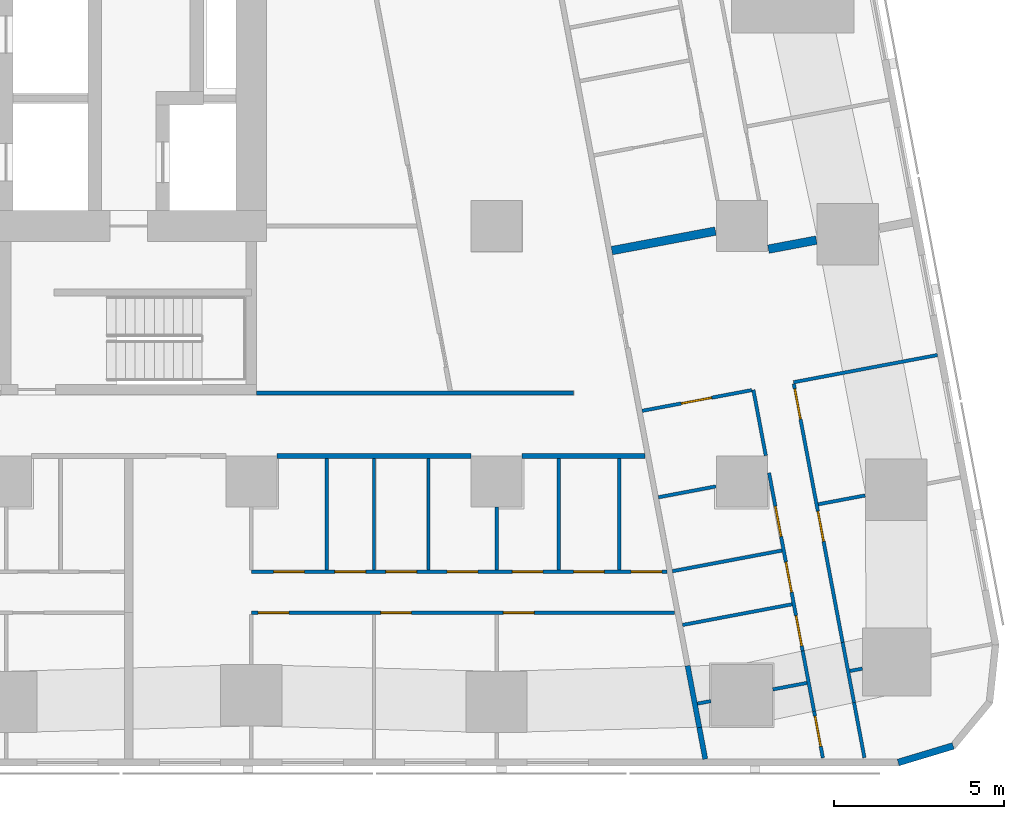
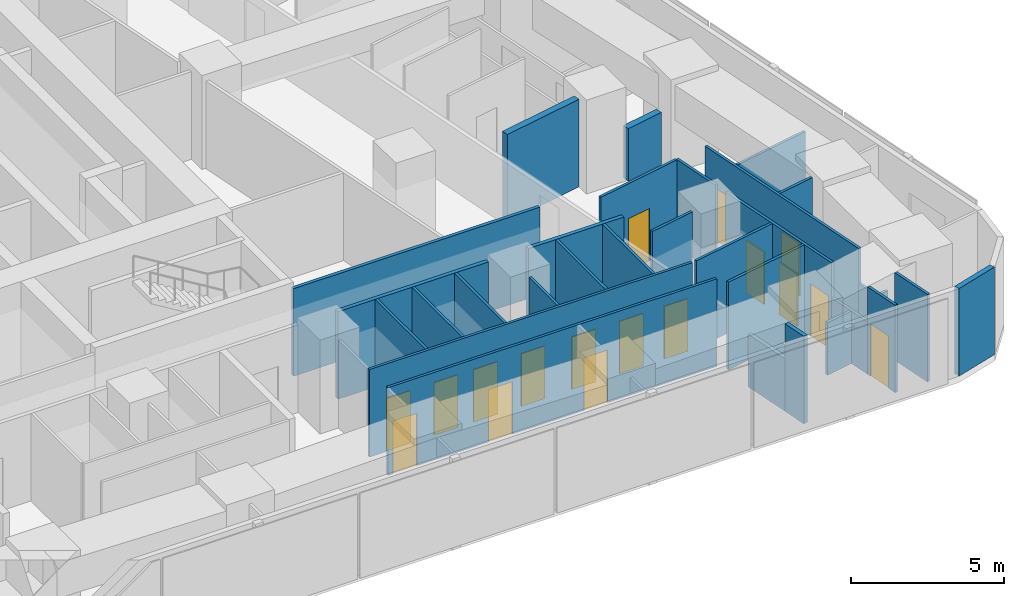
# One storey, part 6 of 15: 32 walls, 17 doors, 17 openings.
"""IFC4 building model written with IfcOpenShell, lengths in metres."""

from ifc_helpers import new_model, si_unit, direction, frame, frame_2d, origin, place, context, subcontext, project, spatial, rectangle, extrude, material, layer, layer_set, type_object, element, fill, save


model = new_model("IFC4")

# Units and contexts
model_context = context("Model", 3, precision=1e-05, world=origin(), true_north=direction((0.0, 1.0)))
body_context = subcontext(model_context, "Body", "Model", "MODEL_VIEW")
ifc_project = project(units=[si_unit("LENGTHUNIT", "METRE"), si_unit("AREAUNIT", "SQUARE_METRE"), si_unit("VOLUMEUNIT", "CUBIC_METRE"), si_unit("PLANEANGLEUNIT", "RADIAN"), si_unit("MASSUNIT", "GRAM", prefix="KILO")], contexts=[model_context])

# Site, building, storey
site_placement = place(None, origin())
site = spatial("IfcSite", under=ifc_project, at=site_placement, CompositionType="ELEMENT")
building_placement = place(site_placement, origin())
building = spatial("IfcBuilding", under=site, at=building_placement, Name="Sheger Commons Tower", CompositionType="ELEMENT")
storey_placement = place(building_placement, frame((0.0, 0.0, 147.050048828125)))
storey = spatial("IfcBuildingStorey", under=building, at=storey_placement, Name="L37", CompositionType="ELEMENT", Elevation=147.050048828125)

# Walls
ifc_material_1 = material(Name="Hollow concrete block masonry, skimmed both sides", Category="masonry")
ifc_layer_1 = layer(ifc_material_1, 0.14990234375)
ifc_layer_set_1 = layer_set([ifc_layer_1], Name="CORRIDOR WALL 150")
wall_type_1 = type_object("IfcWallType", Name="CORRIDOR WALL 150", PredefinedType="SOLIDWALL", material=ifc_layer_set_1)
wall_1_placement = place(storey_placement, frame((40.35595703125, 8.25, 0.0), z_axis=(0.0, 0.0, 1.0), x_axis=(-1.0, 0.0, 0.0)))
element("IfcWall", 1, at=wall_1_placement, inside=storey, type_object=wall_type_1, Name="Corridor wall L37", PredefinedType="SOLIDWALL", context=body_context, shape_type="SweptSolid", body=[
    extrude(rectangle(XDim=3.60498046875, YDim=0.14990234375, at=frame_2d((1.802490234375, 0.0))), origin(), (0.0, 0.0, 1.0), 3.5),
])
wall_2_placement = place(storey_placement, frame((35.2490234375, 8.25, 0.0), z_axis=(0.0, 0.0, 1.0), x_axis=(-1.0, 0.0, 0.0)))
element("IfcWall", 2, at=wall_2_placement, inside=storey, type_object=wall_type_1, Name="Corridor wall L37", PredefinedType="SOLIDWALL", context=body_context, shape_type="SweptSolid", body=[
    extrude(rectangle(XDim=5.697998046875, YDim=0.14990234375, at=frame_2d((2.84912109375, 0.0))), origin(), (0.0, 0.0, 1.0), 3.5),
])
wall_3_placement = place(storey_placement, frame((41.60888671875, 2.093017578125, 0.0), z_axis=(0.0, 0.0, 1.0), x_axis=(0.185708872674, -0.982604811005, 0.0)))
element("IfcWall", 3, at=wall_3_placement, inside=storey, type_object=wall_type_1, Name="Corridor wall L37", PredefinedType="SOLIDWALL", context=body_context, shape_type="SweptSolid", body=[
    extrude(rectangle(XDim=1.84716796875, YDim=0.14990234375, at=frame_2d((0.923583984375, 0.0))), origin(), (0.0, 0.0, 1.0), 2.099853515625),
])
wall_4_placement = place(storey_placement, frame((41.951904296875, 0.278076171875, 0.0), z_axis=(0.0, 0.0, 1.0), x_axis=(0.185365466984, -0.982669651332, 0.0)))
element("IfcWall", 4, at=wall_4_placement, inside=storey, type_object=wall_type_1, Name="Corridor wall L37", PredefinedType="SOLIDWALL", context=body_context, shape_type="SweptSolid", body=[
    extrude(rectangle(XDim=0.9443359375, YDim=0.14990234375, at=frame_2d((0.47216796875, 0.0))), origin(), (0.0, 0.0, 1.0), 3.5),
])
ifc_material_2 = material(Name="Dense concrete block masonry, plastered both sides (separating wall between flats)", Category="masonry")
ifc_layer_2 = layer(ifc_material_2, 0.25)
ifc_layer_set_2 = layer_set([ifc_layer_2], Name="DEMISING WALL 250")
wall_type_2 = type_object("IfcWallType", Name="DEMISING WALL 250", PredefinedType="SOLIDWALL", material=ifc_layer_set_2)
wall_5_placement = place(storey_placement, frame((45.389892578125, 14.587890625, 0.0), z_axis=(0.0, 0.0, 1.0), x_axis=(-0.982680951688, -0.18530555089, 0.0)))
element("IfcWall", 5, at=wall_5_placement, inside=storey, type_object=wall_type_2, Name="Demising wall L37", PredefinedType="SOLIDWALL", context=body_context, shape_type="SweptSolid", body=[
    extrude(rectangle(XDim=1.434814453125, YDim=0.25, at=frame_2d((0.71728515625, 0.0))), origin(), (0.0, 0.0, 1.0), 2.099853515625),
])
wall_6_placement = place(storey_placement, frame((42.426025390625, 14.85302734375, 0.0), z_axis=(0.0, 0.0, 1.0), x_axis=(-0.982660840416, -0.185412169809, 0.0)))
element("IfcWall", 6, at=wall_6_placement, inside=storey, type_object=wall_type_2, Name="Demising wall L37", PredefinedType="SOLIDWALL", context=body_context, shape_type="SweptSolid", body=[
    extrude(rectangle(XDim=3.095703125, YDim=0.25, at=frame_2d((1.5478515625, 0.0))), origin(), (0.0, 0.0, 1.0), 3.5),
])
ifc_material_3 = material(Name="Rendered concrete block masonry, dark grey", Category="masonry")
ifc_layer_3 = layer(ifc_material_3, 0.199951171875)
ifc_layer_set_3 = layer_set([ifc_layer_3], Name="FACADE WALL 200")
wall_type_3 = type_object("IfcWallType", Name="FACADE WALL 200", PredefinedType="SOLIDWALL", material=ifc_layer_set_3)
wall_7_placement = place(storey_placement, frame((47.791015625, -0.75, 0.0), z_axis=(0.0, 0.0, 1.0), x_axis=(0.957455232626, 0.288581838509, 0.0)))
element("IfcWall", 7, at=wall_7_placement, inside=storey, type_object=wall_type_3, Name="Facade wall L37", PredefinedType="SOLIDWALL", context=body_context, shape_type="SweptSolid", body=[
    extrude(rectangle(XDim=1.687744140625, YDim=0.199951171875, at=frame_2d((0.84375, 0.0))), origin(), (0.0, 0.0, 1.0), 3.5),
])

# Wall, openings, doors
ifc_material_4 = material(Name="Gypsum board on steel studs", Category="steel")
ifc_layer_4 = layer(ifc_material_4, 0.10009765625)
ifc_layer_set_4 = layer_set([ifc_layer_4], Name="PARTITION 100")
wall_type_4 = type_object("IfcWallType", Name="PARTITION 100", PredefinedType="PARTITIONING", material=ifc_layer_set_4)
wall_8_placement = place(storey_placement, frame((41.22900390625, 3.64990234375, 0.0), z_axis=(0.0, 0.0, 1.0), x_axis=(-1.0, 0.0, 0.0)))
wall_8 = element("IfcWall", 8, at=wall_8_placement, inside=storey, type_object=wall_type_4, Name="Partition L37", PredefinedType="PARTITIONING", context=body_context, shape_type="SweptSolid", body=[
    extrude(rectangle(XDim=12.428955078125, YDim=0.10009765625, at=frame_2d((6.21435546875, 0.0))), origin(), (0.0, 0.0, 1.0), 3.5),
])
opening_1_placement = place(wall_8_placement, frame((11.3291015625, 0.0, 0.0)))
opening_1 = element("IfcOpeningElement", 9, at=opening_1_placement, cuts=wall_8, Name="Opening D2", PredefinedType="OPENING", context=body_context, shape_type="SweptSolid", body=[
    extrude(rectangle(XDim=0.89990234375, YDim=2.10009765625, at=frame_2d((0.449951171875, 1.050048828125))), frame((0.0, 0.06005859375, 0.0), z_axis=(0.0, -1.0, 0.0), x_axis=(1.0, 0.0, 0.0)), (0.0, 0.0, 1.0), 0.1201171875),
])
opening_2_placement = place(wall_8_placement, frame((7.72900390625, 0.0, 0.0)))
opening_2 = element("IfcOpeningElement", 10, at=opening_2_placement, cuts=wall_8, Name="Opening D2", PredefinedType="OPENING", context=body_context, shape_type="SweptSolid", body=[
    extrude(rectangle(XDim=0.89990234375, YDim=2.10009765625, at=frame_2d((0.449951171875, 1.050048828125))), frame((0.0, 0.06005859375, 0.0), z_axis=(0.0, -1.0, 0.0), x_axis=(1.0, 0.0, 0.0)), (0.0, 0.0, 1.0), 0.1201171875),
])
opening_3_placement = place(wall_8_placement, frame((4.12890625, 0.0, 0.0)))
opening_3 = element("IfcOpeningElement", 11, at=opening_3_placement, cuts=wall_8, Name="Opening D2", PredefinedType="OPENING", context=body_context, shape_type="SweptSolid", body=[
    extrude(rectangle(XDim=0.89990234375, YDim=2.10009765625, at=frame_2d((0.449951171875, 1.050048828125))), frame((0.0, 0.06005859375, 0.0), z_axis=(0.0, -1.0, 0.0), x_axis=(1.0, 0.0, 0.0)), (0.0, 0.0, 1.0), 0.1201171875),
])
ifc_material_5 = material(Name="Timber door set", Category="wood")
door_type = type_object("IfcDoorType", Name="INTERNAL DOOR 900x2100", OperationType="NOTDEFINED", PredefinedType="DOOR", material=ifc_material_5)
door_1_placement = place(opening_1_placement, origin())
door_1 = element("IfcDoor", 12, at=door_1_placement, inside=storey, type_object=door_type, Name="Main bedroom door", OperationType="SINGLE_SWING_RIGHT", OverallHeight=2.10009765625, OverallWidth=0.89990234375, PredefinedType="DOOR", context=body_context, shape_type="SweptSolid", body=[
    extrude(rectangle(XDim=0.89990234375, YDim=2.10009765625, at=frame_2d((0.449951171875, 1.050048828125))), frame((0.0, 0.02490234375, 0.0), z_axis=(0.0, -1.0, 0.0), x_axis=(1.0, 0.0, 0.0)), (0.0, 0.0, 1.0), 0.050048828125),
])
fill(opening_1, door_1)
door_2_placement = place(opening_2_placement, origin())
door_2 = element("IfcDoor", 13, at=door_2_placement, inside=storey, type_object=door_type, Name="Bedroom 2 door", OperationType="SINGLE_SWING_RIGHT", OverallHeight=2.10009765625, OverallWidth=0.89990234375, PredefinedType="DOOR", context=body_context, shape_type="SweptSolid", body=[
    extrude(rectangle(XDim=0.89990234375, YDim=2.10009765625, at=frame_2d((0.449951171875, 1.050048828125))), frame((0.0, 0.02490234375, 0.0), z_axis=(0.0, -1.0, 0.0), x_axis=(1.0, 0.0, 0.0)), (0.0, 0.0, 1.0), 0.050048828125),
])
fill(opening_2, door_2)
door_3_placement = place(opening_3_placement, origin())
door_3 = element("IfcDoor", 14, at=door_3_placement, inside=storey, type_object=door_type, Name="Bedroom 3 door", OperationType="SINGLE_SWING_RIGHT", OverallHeight=2.10009765625, OverallWidth=0.89990234375, PredefinedType="DOOR", context=body_context, shape_type="SweptSolid", body=[
    extrude(rectangle(XDim=0.89990234375, YDim=2.10009765625, at=frame_2d((0.449951171875, 1.050048828125))), frame((0.0, 0.02490234375, 0.0), z_axis=(0.0, -1.0, 0.0), x_axis=(1.0, 0.0, 0.0)), (0.0, 0.0, 1.0), 0.050048828125),
])
fill(opening_3, door_3)

wall_9_placement = place(storey_placement, frame((41.001953125, 4.85009765625, 0.0), z_axis=(0.0, 0.0, 1.0), x_axis=(-1.0, 0.0, 0.0)))
wall_9 = element("IfcWall", 15, at=wall_9_placement, inside=storey, type_object=wall_type_4, Name="Partition L37", PredefinedType="PARTITIONING", context=body_context, shape_type="SweptSolid", body=[
    extrude(rectangle(XDim=12.201904296875, YDim=0.10009765625, at=frame_2d((6.10107421875, 0.0))), origin(), (0.0, 0.0, 1.0), 3.5),
])
opening_4_placement = place(wall_9_placement, frame((10.64697265625, 0.0, 0.0)))
opening_4 = element("IfcOpeningElement", 16, at=opening_4_placement, cuts=wall_9, Name="Opening D2", PredefinedType="OPENING", context=body_context, shape_type="SweptSolid", body=[
    extrude(rectangle(XDim=0.89990234375, YDim=2.10009765625, at=frame_2d((0.449951171875, 1.050048828125))), frame((0.0, 0.06005859375, 0.0), z_axis=(0.0, -1.0, 0.0), x_axis=(1.0, 0.0, 0.0)), (0.0, 0.0, 1.0), 0.1201171875),
])
opening_5_placement = place(wall_9_placement, frame((7.35205078125, 0.0, 0.0)))
opening_5 = element("IfcOpeningElement", 17, at=opening_5_placement, cuts=wall_9, Name="Opening D2", PredefinedType="OPENING", context=body_context, shape_type="SweptSolid", body=[
    extrude(rectangle(XDim=0.89990234375, YDim=2.10009765625, at=frame_2d((0.449951171875, 1.050048828125))), frame((0.0, 0.06005859375, 0.0), z_axis=(0.0, -1.0, 0.0), x_axis=(1.0, 0.0, 0.0)), (0.0, 0.0, 1.0), 0.1201171875),
])
opening_6_placement = place(wall_9_placement, frame((3.64208984375, 0.0, 0.0)))
opening_6 = element("IfcOpeningElement", 18, at=opening_6_placement, cuts=wall_9, Name="Opening D2", PredefinedType="OPENING", context=body_context, shape_type="SweptSolid", body=[
    extrude(rectangle(XDim=0.89990234375, YDim=2.10009765625, at=frame_2d((0.449951171875, 1.050048828125))), frame((0.0, 0.06005859375, 0.0), z_axis=(0.0, -1.0, 0.0), x_axis=(1.0, 0.0, 0.0)), (0.0, 0.0, 1.0), 0.1201171875),
])
opening_7_placement = place(wall_9_placement, frame((0.14990234375, 0.0, 0.0)))
opening_7 = element("IfcOpeningElement", 19, at=opening_7_placement, cuts=wall_9, Name="Opening D2", PredefinedType="OPENING", context=body_context, shape_type="SweptSolid", body=[
    extrude(rectangle(XDim=0.89990234375, YDim=2.10009765625, at=frame_2d((0.449951171875, 1.050048828125))), frame((0.0, 0.06005859375, 0.0), z_axis=(0.0, -1.0, 0.0), x_axis=(1.0, 0.0, 0.0)), (0.0, 0.0, 1.0), 0.1201171875),
])
opening_8_placement = place(wall_9_placement, frame((8.846923828125, 0.0, 0.0)))
opening_8 = element("IfcOpeningElement", 20, at=opening_8_placement, cuts=wall_9, Name="Opening D2", PredefinedType="OPENING", context=body_context, shape_type="SweptSolid", body=[
    extrude(rectangle(XDim=0.89990234375, YDim=2.10009765625, at=frame_2d((0.449951171875, 1.050048828125))), frame((0.0, 0.06005859375, 0.0), z_axis=(0.0, -1.0, 0.0), x_axis=(1.0, 0.0, 0.0)), (0.0, 0.0, 1.0), 0.1201171875),
])
opening_9_placement = place(wall_9_placement, frame((5.552001953125, 0.0, 0.0)))
opening_9 = element("IfcOpeningElement", 21, at=opening_9_placement, cuts=wall_9, Name="Opening D2", PredefinedType="OPENING", context=body_context, shape_type="SweptSolid", body=[
    extrude(rectangle(XDim=0.89990234375, YDim=2.10009765625, at=frame_2d((0.449951171875, 1.050048828125))), frame((0.0, 0.06005859375, 0.0), z_axis=(0.0, -1.0, 0.0), x_axis=(1.0, 0.0, 0.0)), (0.0, 0.0, 1.0), 0.1201171875),
])
opening_10_placement = place(wall_9_placement, frame((1.842041015625, 0.0, 0.0)))
opening_10 = element("IfcOpeningElement", 22, at=opening_10_placement, cuts=wall_9, Name="Opening D2", PredefinedType="OPENING", context=body_context, shape_type="SweptSolid", body=[
    extrude(rectangle(XDim=0.89990234375, YDim=2.10009765625, at=frame_2d((0.449951171875, 1.050048828125))), frame((0.0, 0.06005859375, 0.0), z_axis=(0.0, -1.0, 0.0), x_axis=(1.0, 0.0, 0.0)), (0.0, 0.0, 1.0), 0.1201171875),
])
door_4_placement = place(opening_4_placement, origin())
door_4 = element("IfcDoor", 23, at=door_4_placement, inside=storey, type_object=door_type, Name="Bathroom door", OperationType="SINGLE_SWING_LEFT", OverallHeight=2.10009765625, OverallWidth=0.89990234375, PredefinedType="DOOR", context=body_context, shape_type="SweptSolid", body=[
    extrude(rectangle(XDim=0.89990234375, YDim=2.10009765625, at=frame_2d((0.449951171875, 1.050048828125))), frame((0.0, 0.02490234375, 0.0), z_axis=(0.0, -1.0, 0.0), x_axis=(1.0, 0.0, 0.0)), (0.0, 0.0, 1.0), 0.050048828125),
])
fill(opening_4, door_4)
door_5_placement = place(opening_5_placement, origin())
door_5 = element("IfcDoor", 24, at=door_5_placement, inside=storey, type_object=door_type, Name="Shower room door", OperationType="SINGLE_SWING_LEFT", OverallHeight=2.10009765625, OverallWidth=0.89990234375, PredefinedType="DOOR", context=body_context, shape_type="SweptSolid", body=[
    extrude(rectangle(XDim=0.89990234375, YDim=2.10009765625, at=frame_2d((0.449951171875, 1.050048828125))), frame((0.0, 0.02490234375, 0.0), z_axis=(0.0, -1.0, 0.0), x_axis=(1.0, 0.0, 0.0)), (0.0, 0.0, 1.0), 0.050048828125),
])
fill(opening_5, door_5)
door_6_placement = place(opening_6_placement, origin())
door_6 = element("IfcDoor", 25, at=door_6_placement, inside=storey, type_object=door_type, Name="Laundry room door", OperationType="SINGLE_SWING_LEFT", OverallHeight=2.10009765625, OverallWidth=0.89990234375, PredefinedType="DOOR", context=body_context, shape_type="SweptSolid", body=[
    extrude(rectangle(XDim=0.89990234375, YDim=2.10009765625, at=frame_2d((0.449951171875, 1.050048828125))), frame((0.0, 0.02490234375, 0.0), z_axis=(0.0, -1.0, 0.0), x_axis=(1.0, 0.0, 0.0)), (0.0, 0.0, 1.0), 0.050048828125),
])
fill(opening_6, door_6)
door_7_placement = place(opening_7_placement, origin())
door_7 = element("IfcDoor", 26, at=door_7_placement, inside=storey, type_object=door_type, Name="Store and laundry door", OperationType="SINGLE_SWING_RIGHT", OverallHeight=2.10009765625, OverallWidth=0.89990234375, PredefinedType="DOOR", context=body_context, shape_type="SweptSolid", body=[
    extrude(rectangle(XDim=0.89990234375, YDim=2.10009765625, at=frame_2d((0.449951171875, 1.050048828125))), frame((0.0, 0.02490234375, 0.0), z_axis=(0.0, -1.0, 0.0), x_axis=(1.0, 0.0, 0.0)), (0.0, 0.0, 1.0), 0.050048828125),
])
fill(opening_7, door_7)
door_8_placement = place(opening_8_placement, origin())
door_8 = element("IfcDoor", 27, at=door_8_placement, inside=storey, type_object=door_type, Name="Store door", OperationType="SINGLE_SWING_RIGHT", OverallHeight=2.10009765625, OverallWidth=0.89990234375, PredefinedType="DOOR", context=body_context, shape_type="SweptSolid", body=[
    extrude(rectangle(XDim=0.89990234375, YDim=2.10009765625, at=frame_2d((0.449951171875, 1.050048828125))), frame((0.0, 0.02490234375, 0.0), z_axis=(0.0, -1.0, 0.0), x_axis=(1.0, 0.0, 0.0)), (0.0, 0.0, 1.0), 0.050048828125),
])
fill(opening_8, door_8)
door_9_placement = place(opening_9_placement, origin())
door_9 = element("IfcDoor", 28, at=door_9_placement, inside=storey, type_object=door_type, Name="Store door", OperationType="SINGLE_SWING_RIGHT", OverallHeight=2.10009765625, OverallWidth=0.89990234375, PredefinedType="DOOR", context=body_context, shape_type="SweptSolid", body=[
    extrude(rectangle(XDim=0.89990234375, YDim=2.10009765625, at=frame_2d((0.449951171875, 1.050048828125))), frame((0.0, 0.02490234375, 0.0), z_axis=(0.0, -1.0, 0.0), x_axis=(1.0, 0.0, 0.0)), (0.0, 0.0, 1.0), 0.050048828125),
])
fill(opening_9, door_9)
door_10_placement = place(opening_10_placement, origin())
door_10 = element("IfcDoor", 29, at=door_10_placement, inside=storey, type_object=door_type, Name="Store door", OperationType="SINGLE_SWING_RIGHT", OverallHeight=2.10009765625, OverallWidth=0.89990234375, PredefinedType="DOOR", context=body_context, shape_type="SweptSolid", body=[
    extrude(rectangle(XDim=0.89990234375, YDim=2.10009765625, at=frame_2d((0.449951171875, 1.050048828125))), frame((0.0, 0.02490234375, 0.0), z_axis=(0.0, -1.0, 0.0), x_axis=(1.0, 0.0, 0.0)), (0.0, 0.0, 1.0), 0.050048828125),
])
fill(opening_10, door_10)

# Walls
wall_10_placement = place(storey_placement, frame((32.39990234375, 4.89990234375, 0.0), z_axis=(0.0, 0.0, 1.0), x_axis=(0.0, 1.0, 0.0)))
element("IfcWall", 30, at=wall_10_placement, inside=storey, type_object=wall_type_4, Name="Partition L37", PredefinedType="PARTITIONING", context=body_context, shape_type="SweptSolid", body=[
    extrude(rectangle(XDim=3.275146484375, YDim=0.10009765625, at=frame_2d((1.6376953125, 0.0))), origin(), (0.0, 0.0, 1.0), 3.5),
])
wall_11_placement = place(storey_placement, frame((36.0, 4.89990234375, 0.0), z_axis=(0.0, 0.0, 1.0), x_axis=(0.0, 1.0, 0.0)))
element("IfcWall", 31, at=wall_11_placement, inside=storey, type_object=wall_type_4, Name="Partition L37", PredefinedType="PARTITIONING", context=body_context, shape_type="SweptSolid", body=[
    extrude(rectangle(XDim=1.84912109375, YDim=0.10009765625, at=frame_2d((0.924560546875, 0.0))), origin(), (0.0, 0.0, 1.0), 3.5),
])
for number, where, z_axis, x_axis, name in (
    (32, (39.60009765625, 4.89990234375, 0.0), (0.0, 0.0, 1.0), (0.0, 1.0, 0.0), "Partition L37"),
    (33, (31.010009765625, 4.89990234375, 0.0), (0.0, 0.0, 1.0), (0.0, 1.0, 0.0), "Partition L37"),
    (34, (34.0, 4.89990234375, 0.0), (0.0, 0.0, 1.0), (0.0, 1.0, 0.0), "Partition L37"),
    (35, (37.820068359375, 4.89990234375, 0.0), (0.0, 0.0, 1.0), (0.0, 1.0, 0.0), "Partition L37"),
):
    element("IfcWall", number, at=place(storey_placement, frame(where, z_axis=z_axis, x_axis=x_axis)), inside=storey, type_object=wall_type_4, Name=name, PredefinedType="PARTITIONING", context=body_context, shape_type="SweptSolid", body=[
        extrude(rectangle(XDim=3.275146484375, YDim=0.10009765625, at=frame_2d((1.6376953125, 0.0))), origin(), (0.0, 0.0, 1.0), 3.5),
    ])

# Wall, openings, doors
wall_12_placement = place(storey_placement, frame((44.72705078125, 10.365966796875, 0.0), z_axis=(0.0, 0.0, 1.0), x_axis=(0.185578957652, -0.982629355595, 0.0)))
wall_12 = element("IfcWall", 36, at=wall_12_placement, inside=storey, type_object=wall_type_4, Name="Partition L37", PredefinedType="PARTITIONING", context=body_context, shape_type="SweptSolid", body=[
    extrude(rectangle(XDim=7.720947265625, YDim=0.10009765625, at=frame_2d((3.8603515625, 0.0))), origin(), (0.0, 0.0, 1.0), 3.5),
])
opening_11_placement = place(wall_12_placement, frame((0.15087890625, 0.0, 0.0)))
opening_11 = element("IfcOpeningElement", 37, at=opening_11_placement, cuts=wall_12, Name="Opening D2", PredefinedType="OPENING", context=body_context, shape_type="SweptSolid", body=[
    extrude(rectangle(XDim=0.89990234375, YDim=2.10009765625, at=frame_2d((0.449951171875, 1.050048828125))), frame((0.0, 0.06005859375, 0.0), z_axis=(0.0, -1.0, 0.0), x_axis=(1.0, 0.0, 0.0)), (0.0, 0.0, 1.0), 0.1201171875),
])
opening_12_placement = place(wall_12_placement, frame((3.805908203125, 0.0, 0.0)))
opening_12 = element("IfcOpeningElement", 38, at=opening_12_placement, cuts=wall_12, Name="Opening D2", PredefinedType="OPENING", context=body_context, shape_type="SweptSolid", body=[
    extrude(rectangle(XDim=0.89990234375, YDim=2.10009765625, at=frame_2d((0.449951171875, 1.050048828125))), frame((0.0, 0.06005859375, 0.0), z_axis=(0.0, -1.0, 0.0), x_axis=(1.0, 0.0, 0.0)), (0.0, 0.0, 1.0), 0.1201171875),
])
door_11_placement = place(opening_11_placement, origin())
door_11 = element("IfcDoor", 39, at=door_11_placement, inside=storey, type_object=door_type, Name="Main bedroom door", OperationType="SINGLE_SWING_LEFT", OverallHeight=2.10009765625, OverallWidth=0.89990234375, PredefinedType="DOOR", context=body_context, shape_type="SweptSolid", body=[
    extrude(rectangle(XDim=0.89990234375, YDim=2.10009765625, at=frame_2d((0.449951171875, 1.050048828125))), frame((0.0, 0.02490234375, 0.0), z_axis=(0.0, -1.0, 0.0), x_axis=(1.0, 0.0, 0.0)), (0.0, 0.0, 1.0), 0.050048828125),
])
fill(opening_11, door_11)
door_12_placement = place(opening_12_placement, origin())
door_12 = element("IfcDoor", 40, at=door_12_placement, inside=storey, type_object=door_type, Name="Bedroom 2 door", OperationType="SINGLE_SWING_LEFT", OverallHeight=2.10009765625, OverallWidth=0.89990234375, PredefinedType="DOOR", context=body_context, shape_type="SweptSolid", body=[
    extrude(rectangle(XDim=0.89990234375, YDim=2.10009765625, at=frame_2d((0.449951171875, 1.050048828125))), frame((0.0, 0.02490234375, 0.0), z_axis=(0.0, -1.0, 0.0), x_axis=(1.0, 0.0, 0.0)), (0.0, 0.0, 1.0), 0.050048828125),
])
fill(opening_12, door_12)

# Walls
wall_13_placement = place(storey_placement, frame((46.159912109375, 2.779052734375, 0.0), z_axis=(0.0, 0.0, 1.0), x_axis=(0.18597295662, -0.982554863306, 0.0)))
element("IfcWall", 41, at=wall_13_placement, inside=storey, type_object=wall_type_4, Name="Partition L37", PredefinedType="PARTITIONING", context=body_context, shape_type="SweptSolid", body=[
    extrude(rectangle(XDim=1.802490234375, YDim=0.10009765625, at=frame_2d((0.9013671875, 0.0))), origin(), (0.0, 0.0, 1.0), 2.099853515625),
])
wall_14_placement = place(storey_placement, frame((46.4951171875, 1.008056640625, 0.0), z_axis=(0.0, 0.0, 1.0), x_axis=(0.185535059532, -0.982637645159, 0.0)))
element("IfcWall", 42, at=wall_14_placement, inside=storey, type_object=wall_type_4, Name="Partition L37", PredefinedType="PARTITIONING", context=body_context, shape_type="SweptSolid", body=[
    extrude(rectangle(XDim=1.6435546875, YDim=0.10009765625, at=frame_2d((0.82177734375, 0.0))), origin(), (0.0, 0.0, 1.0), 3.5),
])
wall_15_placement = place(storey_placement, frame((43.5390625, 10.19189453125, 0.0), z_axis=(0.0, 0.0, 1.0), x_axis=(0.18564540894, -0.982616803306, 0.0)))
element("IfcWall", 43, at=wall_15_placement, inside=storey, type_object=wall_type_4, Name="Partition L37", PredefinedType="PARTITIONING", context=body_context, shape_type="SweptSolid", body=[
    extrude(rectangle(XDim=1.966064453125, YDim=0.10009765625, at=frame_2d((0.98291015625, 0.0))), origin(), (0.0, 0.0, 1.0), 3.5),
])

# Wall, openings, doors
wall_16_placement = place(storey_placement, frame((43.9990234375, 7.7548828125, 0.0), z_axis=(0.0, 0.0, 1.0), x_axis=(0.185565904578, -0.982631820703, 0.0)))
wall_16 = element("IfcWall", 44, at=wall_16_placement, inside=storey, type_object=wall_type_4, Name="Partition L37", PredefinedType="PARTITIONING", context=body_context, shape_type="SweptSolid", body=[
    extrude(rectangle(XDim=5.319091796875, YDim=0.10009765625, at=frame_2d((2.65966796875, 0.0))), origin(), (0.0, 0.0, 1.0), 3.5),
])
opening_13_placement = place(wall_16_placement, frame((1.0, 0.0, 0.0)))
opening_13 = element("IfcOpeningElement", 45, at=opening_13_placement, cuts=wall_16, Name="Opening D2", PredefinedType="OPENING", context=body_context, shape_type="SweptSolid", body=[
    extrude(rectangle(XDim=0.89990234375, YDim=2.10009765625, at=frame_2d((0.449951171875, 1.050048828125))), frame((0.0, 0.06005859375, 0.0), z_axis=(0.0, -1.0, 0.0), x_axis=(1.0, 0.0, 0.0)), (0.0, 0.0, 1.0), 0.1201171875),
])
opening_14_placement = place(wall_16_placement, frame((4.26904296875, 0.0, 0.0)))
opening_14 = element("IfcOpeningElement", 46, at=opening_14_placement, cuts=wall_16, Name="Opening D2", PredefinedType="OPENING", context=body_context, shape_type="SweptSolid", body=[
    extrude(rectangle(XDim=0.89990234375, YDim=2.10009765625, at=frame_2d((0.449951171875, 1.050048828125))), frame((0.0, 0.06005859375, 0.0), z_axis=(0.0, -1.0, 0.0), x_axis=(1.0, 0.0, 0.0)), (0.0, 0.0, 1.0), 0.1201171875),
])
opening_15_placement = place(wall_16_placement, frame((2.6650390625, 0.0, 0.0)))
opening_15 = element("IfcOpeningElement", 47, at=opening_15_placement, cuts=wall_16, Name="Opening D2", PredefinedType="OPENING", context=body_context, shape_type="SweptSolid", body=[
    extrude(rectangle(XDim=0.89990234375, YDim=2.10009765625, at=frame_2d((0.449951171875, 1.050048828125))), frame((0.0, 0.06005859375, 0.0), z_axis=(0.0, -1.0, 0.0), x_axis=(1.0, 0.0, 0.0)), (0.0, 0.0, 1.0), 0.1201171875),
])
door_13_placement = place(opening_13_placement, origin())
door_13 = element("IfcDoor", 48, at=door_13_placement, inside=storey, type_object=door_type, Name="Bathroom door", OperationType="SINGLE_SWING_LEFT", OverallHeight=2.10009765625, OverallWidth=0.89990234375, PredefinedType="DOOR", context=body_context, shape_type="SweptSolid", body=[
    extrude(rectangle(XDim=0.89990234375, YDim=2.10009765625, at=frame_2d((0.449951171875, 1.050048828125))), frame((0.0, 0.02490234375, 0.0), z_axis=(0.0, -1.0, 0.0), x_axis=(1.0, 0.0, 0.0)), (0.0, 0.0, 1.0), 0.050048828125),
])
fill(opening_13, door_13)
door_14_placement = place(opening_14_placement, origin())
door_14 = element("IfcDoor", 49, at=door_14_placement, inside=storey, type_object=door_type, Name="Laundry room door", OperationType="SINGLE_SWING_LEFT", OverallHeight=2.10009765625, OverallWidth=0.89990234375, PredefinedType="DOOR", context=body_context, shape_type="SweptSolid", body=[
    extrude(rectangle(XDim=0.89990234375, YDim=2.10009765625, at=frame_2d((0.449951171875, 1.050048828125))), frame((0.0, 0.02490234375, 0.0), z_axis=(0.0, -1.0, 0.0), x_axis=(1.0, 0.0, 0.0)), (0.0, 0.0, 1.0), 0.050048828125),
])
fill(opening_14, door_14)
door_15_placement = place(opening_15_placement, origin())
door_15 = element("IfcDoor", 50, at=door_15_placement, inside=storey, type_object=door_type, Name="Store door", OperationType="SINGLE_SWING_RIGHT", OverallHeight=2.10009765625, OverallWidth=0.89990234375, PredefinedType="DOOR", context=body_context, shape_type="SweptSolid", body=[
    extrude(rectangle(XDim=0.89990234375, YDim=2.10009765625, at=frame_2d((0.449951171875, 1.050048828125))), frame((0.0, 0.02490234375, 0.0), z_axis=(0.0, -1.0, 0.0), x_axis=(1.0, 0.0, 0.0)), (0.0, 0.0, 1.0), 0.050048828125),
])
fill(opening_15, door_15)

# Wall
wall_17_placement = place(storey_placement, frame((44.986083984375, 2.528076171875, 0.0), z_axis=(0.0, 0.0, 1.0), x_axis=(0.18584218627, -0.982579605835, 0.0)))
element("IfcWall", 51, at=wall_17_placement, inside=storey, type_object=wall_type_4, Name="Partition L37", PredefinedType="PARTITIONING", context=body_context, shape_type="SweptSolid", body=[
    extrude(rectangle(XDim=1.802490234375, YDim=0.10009765625, at=frame_2d((0.9013671875, 0.0))), origin(), (0.0, 0.0, 1.0), 2.099853515625),
])

# Wall, opening, door
wall_18_placement = place(storey_placement, frame((45.321044921875, 0.757080078125, 0.0), z_axis=(0.0, 0.0, 1.0), x_axis=(0.185640562635, -0.982617718904, 0.0)))
wall_18 = element("IfcWall", 52, at=wall_18_placement, inside=storey, type_object=wall_type_4, Name="Partition L37", PredefinedType="PARTITIONING", context=body_context, shape_type="SweptSolid", body=[
    extrude(rectangle(XDim=1.395263671875, YDim=0.10009765625, at=frame_2d((0.69775390625, 0.0))), origin(), (0.0, 0.0, 1.0), 3.5),
])
opening_16_placement = place(wall_18_placement, frame((0.14990234375, 0.0, 0.0)))
opening_16 = element("IfcOpeningElement", 53, at=opening_16_placement, cuts=wall_18, Name="Opening D2", PredefinedType="OPENING", context=body_context, shape_type="SweptSolid", body=[
    extrude(rectangle(XDim=0.89990234375, YDim=2.10009765625, at=frame_2d((0.449951171875, 1.050048828125))), frame((0.0, 0.06005859375, 0.0), z_axis=(0.0, -1.0, 0.0), x_axis=(1.0, 0.0, 0.0)), (0.0, 0.0, 1.0), 0.1201171875),
])
door_16_placement = place(opening_16_placement, origin())
door_16 = element("IfcDoor", 54, at=door_16_placement, inside=storey, type_object=door_type, Name="Laundry room door", OperationType="SINGLE_SWING_RIGHT", OverallHeight=2.10009765625, OverallWidth=0.89990234375, PredefinedType="DOOR", context=body_context, shape_type="SweptSolid", body=[
    extrude(rectangle(XDim=0.89990234375, YDim=2.10009765625, at=frame_2d((0.449951171875, 1.050048828125))), frame((0.0, 0.02490234375, 0.0), z_axis=(0.0, -1.0, 0.0), x_axis=(1.0, 0.0, 0.0)), (0.0, 0.0, 1.0), 0.050048828125),
])
fill(opening_16, door_16)

# Walls
wall_19_placement = place(storey_placement, frame((48.943115234375, 11.212890625, 0.0), z_axis=(0.0, 0.0, 1.0), x_axis=(-0.982633535512, -0.185556823879, 0.0)))
element("IfcWall", 55, at=wall_19_placement, inside=storey, type_object=wall_type_4, Name="Partition L37", PredefinedType="PARTITIONING", context=body_context, shape_type="SweptSolid", body=[
    extrude(rectangle(XDim=4.2998046875, YDim=0.10009765625, at=frame_2d((2.14990234375, 0.0))), origin(), (0.0, 0.0, 1.0), 2.099853515625),
])
wall_20_placement = place(storey_placement, frame((46.820068359375, 7.091064453125, 0.0), z_axis=(0.0, 0.0, 1.0), x_axis=(-0.982689853246, -0.185258339427, 0.0)))
element("IfcWall", 56, at=wall_20_placement, inside=storey, type_object=wall_type_4, Name="Partition L37", PredefinedType="PARTITIONING", context=body_context, shape_type="SweptSolid", body=[
    extrude(rectangle(XDim=1.398193359375, YDim=0.10009765625, at=frame_2d((0.69921875, 0.0))), origin(), (0.0, 0.0, 1.0), 3.5),
])
wall_21_placement = place(storey_placement, frame((46.738037109375, 2.006103515625, 0.0), z_axis=(0.0, 0.0, 1.0), x_axis=(-0.982820466874, -0.184564161994, 0.0)))
element("IfcWall", 57, at=wall_21_placement, inside=storey, type_object=wall_type_4, Name="Partition L37", PredefinedType="PARTITIONING", context=body_context, shape_type="SweptSolid", body=[
    extrude(rectangle(XDim=0.374267578125, YDim=0.10009765625, at=frame_2d((0.18701171875, 0.0))), origin(), (0.0, 0.0, 1.0), 2.099853515625),
])

# Wall, opening, door
wall_22_placement = place(storey_placement, frame((43.489990234375, 10.18310546875, 0.0), z_axis=(0.0, 0.0, 1.0), x_axis=(-0.982607026909, -0.185697147715, 0.0)))
wall_22 = element("IfcWall", 58, at=wall_22_placement, inside=storey, type_object=wall_type_4, Name="Partition L37", PredefinedType="PARTITIONING", context=body_context, shape_type="SweptSolid", body=[
    extrude(rectangle(XDim=3.27490234375, YDim=0.10009765625, at=frame_2d((1.637451171875, 0.0))), origin(), (0.0, 0.0, 1.0), 3.5),
])
opening_17_placement = place(wall_22_placement, frame((1.199951171875, 0.0, 0.0)))
opening_17 = element("IfcOpeningElement", 59, at=opening_17_placement, cuts=wall_22, Name="Opening D2", PredefinedType="OPENING", context=body_context, shape_type="SweptSolid", body=[
    extrude(rectangle(XDim=0.89990234375, YDim=2.10009765625, at=frame_2d((0.449951171875, 1.050048828125))), frame((0.0, 0.06005859375, 0.0), z_axis=(0.0, -1.0, 0.0), x_axis=(1.0, 0.0, 0.0)), (0.0, 0.0, 1.0), 0.1201171875),
])
door_17_placement = place(opening_17_placement, origin())
door_17 = element("IfcDoor", 60, at=door_17_placement, inside=storey, type_object=door_type, Name="Store door", OperationType="SINGLE_SWING_RIGHT", OverallHeight=2.10009765625, OverallWidth=0.89990234375, PredefinedType="DOOR", context=body_context, shape_type="SweptSolid", body=[
    extrude(rectangle(XDim=0.89990234375, YDim=2.10009765625, at=frame_2d((0.449951171875, 1.050048828125))), frame((0.0, 0.02490234375, 0.0), z_axis=(0.0, -1.0, 0.0), x_axis=(1.0, 0.0, 0.0)), (0.0, 0.0, 1.0), 0.050048828125),
])
fill(opening_17, door_17)

# Walls
wall_23_placement = place(storey_placement, frame((42.43994140625, 7.35693359375, 0.0), z_axis=(0.0, 0.0, 1.0), x_axis=(-0.982643094077, -0.185506198448, 0.0)))
element("IfcWall", 61, at=wall_23_placement, inside=storey, type_object=wall_type_4, Name="Partition L37", PredefinedType="PARTITIONING", context=body_context, shape_type="SweptSolid", body=[
    extrude(rectangle(XDim=1.71875, YDim=0.10009765625, at=frame_2d((0.859375, 0.0))), origin(), (0.0, 0.0, 1.0), 3.5),
])
wall_24_placement = place(storey_placement, frame((45.114013671875, 1.5869140625, 0.0), z_axis=(0.0, 0.0, 1.0), x_axis=(-0.982567886437, -0.185904138047, 0.0)))
element("IfcWall", 62, at=wall_24_placement, inside=storey, type_object=wall_type_4, Name="Partition L37", PredefinedType="PARTITIONING", context=body_context, shape_type="SweptSolid", body=[
    extrude(rectangle(XDim=1.021728515625, YDim=0.10009765625, at=frame_2d((0.5107421875, 0.0))), origin(), (0.0, 0.0, 1.0), 2.099853515625),
])
wall_25_placement = place(storey_placement, frame((42.2900390625, 1.052978515625, 0.0), z_axis=(0.0, 0.0, 1.0), x_axis=(-0.982830800147, -0.184509127909, 0.0)))
element("IfcWall", 63, at=wall_25_placement, inside=storey, type_object=wall_type_4, Name="Partition L37", PredefinedType="PARTITIONING", context=body_context, shape_type="SweptSolid", body=[
    extrude(rectangle(XDim=0.40087890625, YDim=0.10009765625, at=frame_2d((0.200439453125, 0.0))), origin(), (0.0, 0.0, 1.0), 2.099853515625),
])
wall_26_placement = place(storey_placement, frame((44.677001953125, 3.89599609375, 0.0), z_axis=(0.0, 0.0, 1.0), x_axis=(-0.982610347627, -0.185679575441, 0.0)))
element("IfcWall", 64, at=wall_26_placement, inside=storey, type_object=wall_type_4, Name="Partition L37", PredefinedType="PARTITIONING", context=body_context, shape_type="SweptSolid", body=[
    extrude(rectangle(XDim=3.27392578125, YDim=0.10009765625, at=frame_2d((1.636962890625, 0.0))), origin(), (0.0, 0.0, 1.0), 3.5),
])
wall_27_placement = place(storey_placement, frame((44.37890625, 5.47412109375, 0.0), z_axis=(0.0, 0.0, 1.0), x_axis=(-0.982607026909, -0.185697147715, 0.0)))
element("IfcWall", 65, at=wall_27_placement, inside=storey, type_object=wall_type_4, Name="Partition L37", PredefinedType="PARTITIONING", context=body_context, shape_type="SweptSolid", body=[
    extrude(rectangle(XDim=3.27490234375, YDim=0.10009765625, at=frame_2d((1.637451171875, 0.0))), origin(), (0.0, 0.0, 1.0), 3.5),
])
ifc_material_6 = material(Name="Gypsum board on steel studs, two layers each side, fire rated", Category="steel")
ifc_layer_5 = layer(ifc_material_6, 0.125)
ifc_layer_set_5 = layer_set([ifc_layer_5], Name="SERVICE WALL 125")
wall_type_5 = type_object("IfcWallType", Name="SERVICE WALL 125", PredefinedType="PARTITIONING", material=ifc_layer_set_5)
wall_28_placement = place(storey_placement, frame((28.949951171875, 10.10009765625, 0.0), z_axis=(0.0, 0.0, 1.0), x_axis=(1.0, 0.0, 0.0)))
element("IfcWall", 66, at=wall_28_placement, inside=storey, type_object=wall_type_5, Name="Service room wall L37", PredefinedType="PARTITIONING", context=body_context, shape_type="SweptSolid", body=[
    extrude(rectangle(XDim=9.31494140625, YDim=0.125, at=frame_2d((4.657470703125, 0.0))), origin(), (0.0, 0.0, 1.0), 3.5),
])

save(model, "model.ifc")
